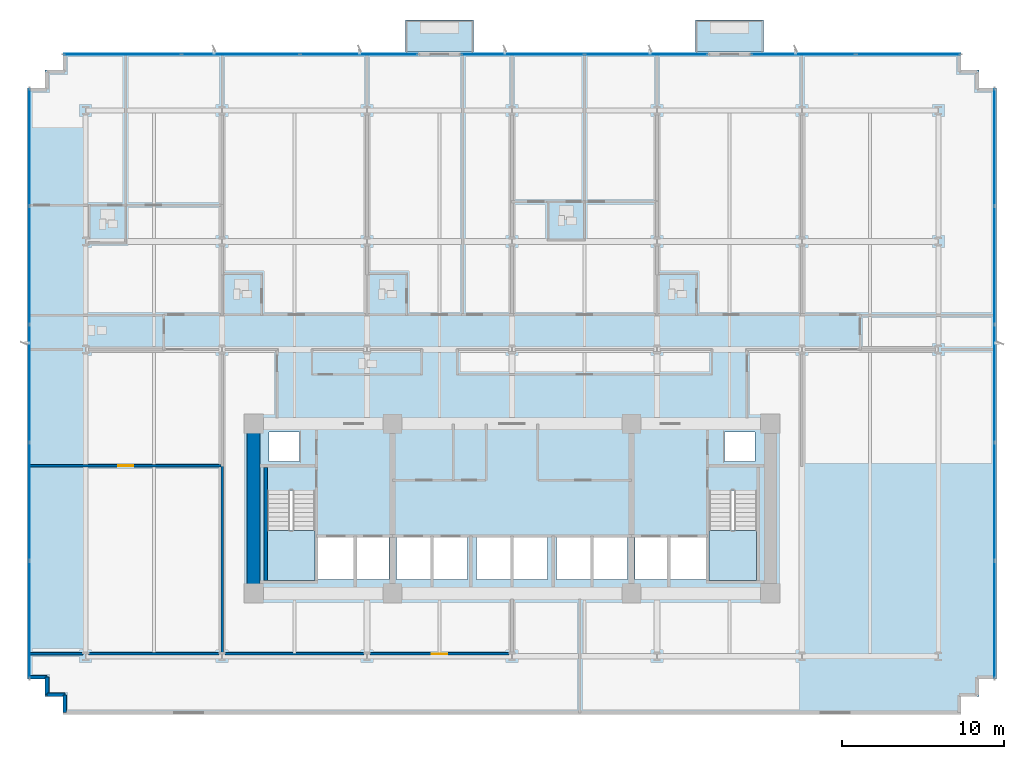
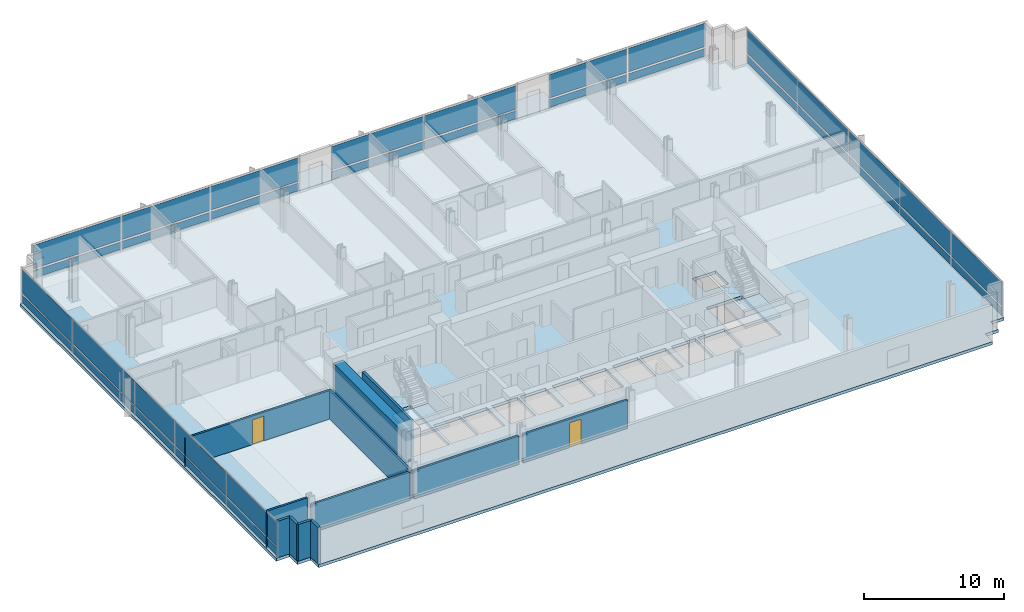
# One storey, part 7 of 15: 34 plates, 12 walls, 5 slabs, 2 doors, 2 openings, 7 elements without a shape of their own.
"""IFC4 building model written with IfcOpenShell, lengths in metres."""

from ifc_helpers import new_model, si_unit, direction, frame, frame_2d, origin, origin_2d, place, context, subcontext, project, spatial, polyline, rectangle, outline, extrude, material, layer, layer_set, type_object, element, fill, aggregate, save


model = new_model("IFC4")

# Units and contexts
model_context = context("Model", 3, precision=1e-05, world=origin(), true_north=direction((0.0, 1.0)))
body_context = subcontext(model_context, "Body", "Model", "MODEL_VIEW")
ifc_project = project(units=[si_unit("LENGTHUNIT", "METRE"), si_unit("AREAUNIT", "SQUARE_METRE"), si_unit("VOLUMEUNIT", "CUBIC_METRE"), si_unit("PLANEANGLEUNIT", "RADIAN"), si_unit("MASSUNIT", "GRAM", prefix="KILO")], contexts=[model_context])

# Site, building, storey
site_placement = place(None, origin())
site = spatial("IfcSite", under=ifc_project, at=site_placement, CompositionType="ELEMENT")
building_placement = place(site_placement, origin())
building = spatial("IfcBuilding", under=site, at=building_placement, Name="Solmavex Isthmus Hotel", CompositionType="ELEMENT")
storey_placement = place(building_placement, frame((0.0, 0.0, 33.300048828125)))
storey = spatial("IfcBuildingStorey", under=building, at=storey_placement, Name="L08", CompositionType="ELEMENT", Elevation=33.300048828125)

# Curtain wall, plates
ifc_material_1 = material(Name="Aluminium alloy 6063-T6", Category="aluminium")
curtain_wall_type = type_object("IfcCurtainWallType", Name="CW-SYS-02", PredefinedType="NOTDEFINED", material=ifc_material_1)
curtain_wall_1_placement = place(storey_placement, origin())
curtain_wall_1 = element("IfcCurtainWall", 1, at=curtain_wall_1_placement, inside=storey, type_object=curtain_wall_type, Name="Stick Curtain Wall CWL-L08-N1", PredefinedType="NOTDEFINED")
ifc_material_2 = material(Name="Clear low-E laminated glass", Category="glass")
ifc_layer_1 = layer(ifc_material_2, 0.031982421875)
ifc_layer_set_1 = layer_set([ifc_layer_1], Name="Clear low-E laminated glass")
plate_type = type_object("IfcPlateType", Name="CW-SYS-02-PNL", PredefinedType="CURTAIN_PANEL", material=ifc_layer_set_1)
plate_1_placement = place(storey_placement, frame((-24.112548828125, 20.3798828125, 0.16015625), z_axis=(0.0, 0.0, 1.0), x_axis=(1.0, 0.0, 0.0)))
plate_1 = element("IfcPlate", 2, at=plate_1_placement, type_object=plate_type, Name="CW-02 panel 1.1", PredefinedType="CURTAIN_PANEL", context=body_context, shape_type="SweptSolid", body=[
    extrude(rectangle(XDim=7.224853515625, YDim=0.031982421875, at=origin_2d()), origin(), (0.0, 0.0, 1.0), 0.659912109375),
])
plate_2_placement = place(storey_placement, frame((-24.112548828125, 20.3798828125, 0.97998046875), z_axis=(0.0, 0.0, 1.0), x_axis=(1.0, 0.0, 0.0)))
plate_2 = element("IfcPlate", 3, at=plate_2_placement, type_object=plate_type, Name="CW-02 panel 1.2", PredefinedType="CURTAIN_PANEL", context=body_context, shape_type="SweptSolid", body=[
    extrude(rectangle(XDim=7.224853515625, YDim=0.031982421875, at=origin_2d()), origin(), (0.0, 0.0, 1.0), 2.050048828125),
])
plate_3_placement = place(storey_placement, frame((-16.7939453125, 20.3798828125, 0.16015625), z_axis=(0.0, 0.0, 1.0), x_axis=(1.0, 0.0, 0.0)))
plate_3 = element("IfcPlate", 4, at=plate_3_placement, type_object=plate_type, Name="CW-02 panel 2.1", PredefinedType="CURTAIN_PANEL", context=body_context, shape_type="SweptSolid", body=[
    extrude(rectangle(XDim=7.262451171875, YDim=0.031982421875, at=origin_2d()), origin(), (0.0, 0.0, 1.0), 0.659912109375),
])
plate_4_placement = place(storey_placement, frame((-16.7939453125, 20.3798828125, 0.97998046875), z_axis=(0.0, 0.0, 1.0), x_axis=(1.0, 0.0, 0.0)))
plate_4 = element("IfcPlate", 5, at=plate_4_placement, type_object=plate_type, Name="CW-02 panel 2.2", PredefinedType="CURTAIN_PANEL", context=body_context, shape_type="SweptSolid", body=[
    extrude(rectangle(XDim=7.262451171875, YDim=0.031982421875, at=origin_2d()), origin(), (0.0, 0.0, 1.0), 2.050048828125),
])
plate_5_placement = place(storey_placement, frame((-9.475341796875, 20.3798828125, 0.16015625), z_axis=(0.0, 0.0, 1.0), x_axis=(1.0, 0.0, 0.0)))
plate_5 = element("IfcPlate", 6, at=plate_5_placement, type_object=plate_type, Name="CW-02 panel 3.1", PredefinedType="CURTAIN_PANEL", context=body_context, shape_type="SweptSolid", body=[
    extrude(rectangle(XDim=7.224853515625, YDim=0.031982421875, at=origin_2d()), origin(), (0.0, 0.0, 1.0), 0.659912109375),
])
plate_6_placement = place(storey_placement, frame((-9.475341796875, 20.3798828125, 0.97998046875), z_axis=(0.0, 0.0, 1.0), x_axis=(1.0, 0.0, 0.0)))
plate_6 = element("IfcPlate", 7, at=plate_6_placement, type_object=plate_type, Name="CW-02 panel 3.2", PredefinedType="CURTAIN_PANEL", context=body_context, shape_type="SweptSolid", body=[
    extrude(rectangle(XDim=7.224853515625, YDim=0.031982421875, at=origin_2d()), origin(), (0.0, 0.0, 1.0), 2.050048828125),
])
aggregate(curtain_wall_1, [plate_1, plate_2, plate_3, plate_4, plate_5, plate_6])

curtain_wall_2_placement = place(storey_placement, origin())
curtain_wall_2 = element("IfcCurtainWall", 8, at=curtain_wall_2_placement, inside=storey, type_object=curtain_wall_type, Name="Stick Curtain Wall CWL-L08-N2", PredefinedType="NOTDEFINED")
plate_7_placement = place(storey_placement, frame((0.668701171875, 20.3798828125, 0.16015625), z_axis=(0.0, 0.0, 1.0), x_axis=(1.0, 0.0, 0.0)))
plate_7 = element("IfcPlate", 9, at=plate_7_placement, type_object=plate_type, Name="CW-02 panel 1.1", PredefinedType="CURTAIN_PANEL", context=body_context, shape_type="SweptSolid", body=[
    extrude(rectangle(XDim=7.5634765625, YDim=0.031982421875, at=origin_2d()), origin(), (0.0, 0.0, 1.0), 0.659912109375),
])
plate_8_placement = place(storey_placement, frame((0.668701171875, 20.3798828125, 0.97998046875), z_axis=(0.0, 0.0, 1.0), x_axis=(1.0, 0.0, 0.0)))
plate_8 = element("IfcPlate", 10, at=plate_8_placement, type_object=plate_type, Name="CW-02 panel 1.2", PredefinedType="CURTAIN_PANEL", context=body_context, shape_type="SweptSolid", body=[
    extrude(rectangle(XDim=7.5634765625, YDim=0.031982421875, at=origin_2d()), origin(), (0.0, 0.0, 1.0), 2.050048828125),
])
plate_9_placement = place(storey_placement, frame((8.30712890625, 20.3798828125, 0.16015625), z_axis=(0.0, 0.0, 1.0), x_axis=(1.0, 0.0, 0.0)))
plate_9 = element("IfcPlate", 11, at=plate_9_placement, type_object=plate_type, Name="CW-02 panel 2.1", PredefinedType="CURTAIN_PANEL", context=body_context, shape_type="SweptSolid", body=[
    extrude(rectangle(XDim=7.5634765625, YDim=0.031982421875, at=origin_2d()), origin(), (0.0, 0.0, 1.0), 0.659912109375),
])
plate_10_placement = place(storey_placement, frame((8.30712890625, 20.3798828125, 0.97998046875), z_axis=(0.0, 0.0, 1.0), x_axis=(1.0, 0.0, 0.0)))
plate_10 = element("IfcPlate", 12, at=plate_10_placement, type_object=plate_type, Name="CW-02 panel 2.2", PredefinedType="CURTAIN_PANEL", context=body_context, shape_type="SweptSolid", body=[
    extrude(rectangle(XDim=7.5634765625, YDim=0.031982421875, at=origin_2d()), origin(), (0.0, 0.0, 1.0), 2.050048828125),
])
aggregate(curtain_wall_2, [plate_7, plate_8, plate_9, plate_10])

curtain_wall_3_placement = place(storey_placement, origin())
curtain_wall_3 = element("IfcCurtainWall", 13, at=curtain_wall_3_placement, inside=storey, type_object=curtain_wall_type, Name="Stick Curtain Wall CWL-L08-N3", PredefinedType="NOTDEFINED")
plate_11_placement = place(storey_placement, frame((18.041748046875, 20.3798828125, 0.16015625), z_axis=(0.0, 0.0, 1.0), x_axis=(1.0, 0.0, 0.0)))
plate_11 = element("IfcPlate", 14, at=plate_11_placement, type_object=plate_type, Name="CW-02 panel 1.1", PredefinedType="CURTAIN_PANEL", context=body_context, shape_type="SweptSolid", body=[
    extrude(rectangle(XDim=6.405517578125, YDim=0.031982421875, at=origin_2d()), origin(), (0.0, 0.0, 1.0), 0.659912109375),
])
plate_12_placement = place(storey_placement, frame((18.041748046875, 20.3798828125, 0.97998046875), z_axis=(0.0, 0.0, 1.0), x_axis=(1.0, 0.0, 0.0)))
plate_12 = element("IfcPlate", 15, at=plate_12_placement, type_object=plate_type, Name="CW-02 panel 1.2", PredefinedType="CURTAIN_PANEL", context=body_context, shape_type="SweptSolid", body=[
    extrude(rectangle(XDim=6.405517578125, YDim=0.031982421875, at=origin_2d()), origin(), (0.0, 0.0, 1.0), 2.050048828125),
])
plate_13_placement = place(storey_placement, frame((24.522216796875, 20.3798828125, 0.16015625), z_axis=(0.0, 0.0, 1.0), x_axis=(1.0, 0.0, 0.0)))
plate_13 = element("IfcPlate", 16, at=plate_13_placement, type_object=plate_type, Name="CW-02 panel 2.1", PredefinedType="CURTAIN_PANEL", context=body_context, shape_type="SweptSolid", body=[
    extrude(rectangle(XDim=6.405517578125, YDim=0.031982421875, at=origin_2d()), origin(), (0.0, 0.0, 1.0), 0.659912109375),
])
plate_14_placement = place(storey_placement, frame((24.522216796875, 20.3798828125, 0.97998046875), z_axis=(0.0, 0.0, 1.0), x_axis=(1.0, 0.0, 0.0)))
plate_14 = element("IfcPlate", 17, at=plate_14_placement, type_object=plate_type, Name="CW-02 panel 2.2", PredefinedType="CURTAIN_PANEL", context=body_context, shape_type="SweptSolid", body=[
    extrude(rectangle(XDim=6.405517578125, YDim=0.031982421875, at=origin_2d()), origin(), (0.0, 0.0, 1.0), 2.050048828125),
])
aggregate(curtain_wall_3, [plate_11, plate_12, plate_13, plate_14])

curtain_wall_4_placement = place(storey_placement, origin())
curtain_wall_4 = element("IfcCurtainWall", 18, at=curtain_wall_4_placement, inside=storey, type_object=curtain_wall_type, Name="Stick Curtain Wall CWL-L08-W1", PredefinedType="NOTDEFINED")
plate_15_placement = place(storey_placement, frame((-29.8798828125, -14.621337890625, 0.16015625), z_axis=(0.0, 0.0, 1.0), x_axis=(0.0, 1.0, 0.0)))
plate_15 = element("IfcPlate", 19, at=plate_15_placement, type_object=plate_type, Name="CW-02 panel 1.1", PredefinedType="CURTAIN_PANEL", context=body_context, shape_type="SweptSolid", body=[
    extrude(rectangle(XDim=7.20751953125, YDim=0.031982421875, at=origin_2d()), origin(), (0.0, 0.0, 1.0), 0.659912109375),
])
plate_16_placement = place(storey_placement, frame((-29.8798828125, -14.621337890625, 0.97998046875), z_axis=(0.0, 0.0, 1.0), x_axis=(0.0, 1.0, 0.0)))
plate_16 = element("IfcPlate", 20, at=plate_16_placement, type_object=plate_type, Name="CW-02 panel 1.2", PredefinedType="CURTAIN_PANEL", context=body_context, shape_type="SweptSolid", body=[
    extrude(rectangle(XDim=7.20751953125, YDim=0.031982421875, at=origin_2d()), origin(), (0.0, 0.0, 1.0), 2.050048828125),
])
plate_17_placement = place(storey_placement, frame((-29.8798828125, -7.320068359375, 0.16015625), z_axis=(0.0, 0.0, 1.0), x_axis=(0.0, 1.0, 0.0)))
plate_17 = element("IfcPlate", 21, at=plate_17_placement, type_object=plate_type, Name="CW-02 panel 2.1", PredefinedType="CURTAIN_PANEL", context=body_context, shape_type="SweptSolid", body=[
    extrude(rectangle(XDim=7.2451171875, YDim=0.031982421875, at=origin_2d()), origin(), (0.0, 0.0, 1.0), 0.659912109375),
])
plate_18_placement = place(storey_placement, frame((-29.8798828125, -7.320068359375, 0.97998046875), z_axis=(0.0, 0.0, 1.0), x_axis=(0.0, 1.0, 0.0)))
plate_18 = element("IfcPlate", 22, at=plate_18_placement, type_object=plate_type, Name="CW-02 panel 2.2", PredefinedType="CURTAIN_PANEL", context=body_context, shape_type="SweptSolid", body=[
    extrude(rectangle(XDim=7.2451171875, YDim=0.031982421875, at=origin_2d()), origin(), (0.0, 0.0, 1.0), 2.050048828125),
])
plate_19_placement = place(storey_placement, frame((-29.8798828125, 0.0, 0.16015625), z_axis=(0.0, 0.0, 1.0), x_axis=(0.0, 1.0, 0.0)))
plate_19 = element("IfcPlate", 23, at=plate_19_placement, type_object=plate_type, Name="CW-02 panel 3.1", PredefinedType="CURTAIN_PANEL", context=body_context, shape_type="SweptSolid", body=[
    extrude(rectangle(XDim=7.2451171875, YDim=0.031982421875, at=origin_2d()), origin(), (0.0, 0.0, 1.0), 0.659912109375),
])
plate_20_placement = place(storey_placement, frame((-29.8798828125, 0.0, 0.97998046875), z_axis=(0.0, 0.0, 1.0), x_axis=(0.0, 1.0, 0.0)))
plate_20 = element("IfcPlate", 24, at=plate_20_placement, type_object=plate_type, Name="CW-02 panel 3.2", PredefinedType="CURTAIN_PANEL", context=body_context, shape_type="SweptSolid", body=[
    extrude(rectangle(XDim=7.2451171875, YDim=0.031982421875, at=origin_2d()), origin(), (0.0, 0.0, 1.0), 2.050048828125),
])
plate_21_placement = place(storey_placement, frame((-29.8798828125, 7.320068359375, 0.16015625), z_axis=(0.0, 0.0, 1.0), x_axis=(0.0, 1.0, 0.0)))
plate_21 = element("IfcPlate", 25, at=plate_21_placement, type_object=plate_type, Name="CW-02 panel 4.1", PredefinedType="CURTAIN_PANEL", context=body_context, shape_type="SweptSolid", body=[
    extrude(rectangle(XDim=7.2451171875, YDim=0.031982421875, at=origin_2d()), origin(), (0.0, 0.0, 1.0), 0.659912109375),
])
plate_22_placement = place(storey_placement, frame((-29.8798828125, 7.320068359375, 0.97998046875), z_axis=(0.0, 0.0, 1.0), x_axis=(0.0, 1.0, 0.0)))
plate_22 = element("IfcPlate", 26, at=plate_22_placement, type_object=plate_type, Name="CW-02 panel 4.2", PredefinedType="CURTAIN_PANEL", context=body_context, shape_type="SweptSolid", body=[
    extrude(rectangle(XDim=7.2451171875, YDim=0.031982421875, at=origin_2d()), origin(), (0.0, 0.0, 1.0), 2.050048828125),
])
plate_23_placement = place(storey_placement, frame((-29.8798828125, 14.621337890625, 0.16015625), z_axis=(0.0, 0.0, 1.0), x_axis=(0.0, 1.0, 0.0)))
plate_23 = element("IfcPlate", 27, at=plate_23_placement, type_object=plate_type, Name="CW-02 panel 5.1", PredefinedType="CURTAIN_PANEL", context=body_context, shape_type="SweptSolid", body=[
    extrude(rectangle(XDim=7.20751953125, YDim=0.031982421875, at=origin_2d()), origin(), (0.0, 0.0, 1.0), 0.659912109375),
])
plate_24_placement = place(storey_placement, frame((-29.8798828125, 14.621337890625, 0.97998046875), z_axis=(0.0, 0.0, 1.0), x_axis=(0.0, 1.0, 0.0)))
plate_24 = element("IfcPlate", 28, at=plate_24_placement, type_object=plate_type, Name="CW-02 panel 5.2", PredefinedType="CURTAIN_PANEL", context=body_context, shape_type="SweptSolid", body=[
    extrude(rectangle(XDim=7.20751953125, YDim=0.031982421875, at=origin_2d()), origin(), (0.0, 0.0, 1.0), 2.050048828125),
])
aggregate(curtain_wall_4, [plate_15, plate_16, plate_17, plate_18, plate_19, plate_20, plate_21, plate_22, plate_23, plate_24])

curtain_wall_5_placement = place(storey_placement, origin())
curtain_wall_5 = element("IfcCurtainWall", 29, at=curtain_wall_5_placement, inside=storey, type_object=curtain_wall_type, Name="Stick Curtain Wall CWL-L08-E1", PredefinedType="NOTDEFINED")
plate_25_placement = place(storey_placement, frame((29.8798828125, -14.621337890625, 0.16015625), z_axis=(0.0, 0.0, 1.0), x_axis=(0.0, 1.0, 0.0)))
plate_25 = element("IfcPlate", 30, at=plate_25_placement, type_object=plate_type, Name="CW-02 panel 1.1", PredefinedType="CURTAIN_PANEL", context=body_context, shape_type="SweptSolid", body=[
    extrude(rectangle(XDim=7.20751953125, YDim=0.031982421875, at=origin_2d()), origin(), (0.0, 0.0, 1.0), 0.659912109375),
])
plate_26_placement = place(storey_placement, frame((29.8798828125, -14.621337890625, 0.97998046875), z_axis=(0.0, 0.0, 1.0), x_axis=(0.0, 1.0, 0.0)))
plate_26 = element("IfcPlate", 31, at=plate_26_placement, type_object=plate_type, Name="CW-02 panel 1.2", PredefinedType="CURTAIN_PANEL", context=body_context, shape_type="SweptSolid", body=[
    extrude(rectangle(XDim=7.20751953125, YDim=0.031982421875, at=origin_2d()), origin(), (0.0, 0.0, 1.0), 2.050048828125),
])
plate_27_placement = place(storey_placement, frame((29.8798828125, -7.320068359375, 0.16015625), z_axis=(0.0, 0.0, 1.0), x_axis=(0.0, 1.0, 0.0)))
plate_27 = element("IfcPlate", 32, at=plate_27_placement, type_object=plate_type, Name="CW-02 panel 2.1", PredefinedType="CURTAIN_PANEL", context=body_context, shape_type="SweptSolid", body=[
    extrude(rectangle(XDim=7.2451171875, YDim=0.031982421875, at=origin_2d()), origin(), (0.0, 0.0, 1.0), 0.659912109375),
])
plate_28_placement = place(storey_placement, frame((29.8798828125, -7.320068359375, 0.97998046875), z_axis=(0.0, 0.0, 1.0), x_axis=(0.0, 1.0, 0.0)))
plate_28 = element("IfcPlate", 33, at=plate_28_placement, type_object=plate_type, Name="CW-02 panel 2.2", PredefinedType="CURTAIN_PANEL", context=body_context, shape_type="SweptSolid", body=[
    extrude(rectangle(XDim=7.2451171875, YDim=0.031982421875, at=origin_2d()), origin(), (0.0, 0.0, 1.0), 2.050048828125),
])
plate_29_placement = place(storey_placement, frame((29.8798828125, 0.0, 0.16015625), z_axis=(0.0, 0.0, 1.0), x_axis=(0.0, 1.0, 0.0)))
plate_29 = element("IfcPlate", 34, at=plate_29_placement, type_object=plate_type, Name="CW-02 panel 3.1", PredefinedType="CURTAIN_PANEL", context=body_context, shape_type="SweptSolid", body=[
    extrude(rectangle(XDim=7.2451171875, YDim=0.031982421875, at=origin_2d()), origin(), (0.0, 0.0, 1.0), 0.659912109375),
])
plate_30_placement = place(storey_placement, frame((29.8798828125, 0.0, 0.97998046875), z_axis=(0.0, 0.0, 1.0), x_axis=(0.0, 1.0, 0.0)))
plate_30 = element("IfcPlate", 35, at=plate_30_placement, type_object=plate_type, Name="CW-02 panel 3.2", PredefinedType="CURTAIN_PANEL", context=body_context, shape_type="SweptSolid", body=[
    extrude(rectangle(XDim=7.2451171875, YDim=0.031982421875, at=origin_2d()), origin(), (0.0, 0.0, 1.0), 2.050048828125),
])
plate_31_placement = place(storey_placement, frame((29.8798828125, 7.320068359375, 0.16015625), z_axis=(0.0, 0.0, 1.0), x_axis=(0.0, 1.0, 0.0)))
plate_31 = element("IfcPlate", 36, at=plate_31_placement, type_object=plate_type, Name="CW-02 panel 4.1", PredefinedType="CURTAIN_PANEL", context=body_context, shape_type="SweptSolid", body=[
    extrude(rectangle(XDim=7.2451171875, YDim=0.031982421875, at=origin_2d()), origin(), (0.0, 0.0, 1.0), 0.659912109375),
])
plate_32_placement = place(storey_placement, frame((29.8798828125, 7.320068359375, 0.97998046875), z_axis=(0.0, 0.0, 1.0), x_axis=(0.0, 1.0, 0.0)))
plate_32 = element("IfcPlate", 37, at=plate_32_placement, type_object=plate_type, Name="CW-02 panel 4.2", PredefinedType="CURTAIN_PANEL", context=body_context, shape_type="SweptSolid", body=[
    extrude(rectangle(XDim=7.2451171875, YDim=0.031982421875, at=origin_2d()), origin(), (0.0, 0.0, 1.0), 2.050048828125),
])
plate_33_placement = place(storey_placement, frame((29.8798828125, 14.621337890625, 0.16015625), z_axis=(0.0, 0.0, 1.0), x_axis=(0.0, 1.0, 0.0)))
plate_33 = element("IfcPlate", 38, at=plate_33_placement, type_object=plate_type, Name="CW-02 panel 5.1", PredefinedType="CURTAIN_PANEL", context=body_context, shape_type="SweptSolid", body=[
    extrude(rectangle(XDim=7.20751953125, YDim=0.031982421875, at=origin_2d()), origin(), (0.0, 0.0, 1.0), 0.659912109375),
])
plate_34_placement = place(storey_placement, frame((29.8798828125, 14.621337890625, 0.97998046875), z_axis=(0.0, 0.0, 1.0), x_axis=(0.0, 1.0, 0.0)))
plate_34 = element("IfcPlate", 39, at=plate_34_placement, type_object=plate_type, Name="CW-02 panel 5.2", PredefinedType="CURTAIN_PANEL", context=body_context, shape_type="SweptSolid", body=[
    extrude(rectangle(XDim=7.20751953125, YDim=0.031982421875, at=origin_2d()), origin(), (0.0, 0.0, 1.0), 2.050048828125),
])
aggregate(curtain_wall_5, [plate_25, plate_26, plate_27, plate_28, plate_29, plate_30, plate_31, plate_32, plate_33, plate_34])

# Slabs
ifc_material_3 = material(Name="Concrete C40/50", Category="concrete")
ifc_layer_2 = layer(ifc_material_3, 0.239990234375)
ifc_layer_set_2 = layer_set([ifc_layer_2], Name="Concrete C40/50")
slab_type_1 = type_object("IfcSlabType", Name="SLAB-BALC-240", PredefinedType="FLOOR", material=ifc_layer_set_2)
slab_1_placement = place(storey_placement, frame((0.0, 0.0, -0.239990234375)))
element("IfcSlab", 40, at=slab_1_placement, inside=storey, type_object=slab_type_1, Name="Tree-Planter Balcony Slab L08-B1", PredefinedType="FLOOR", context=body_context, shape_type="SweptSolid", body=[
    extrude(outline(polyline([(-6.587890625, 20.514892578125), (-2.387939453125, 20.514892578125), (-2.387939453125, 22.5), (-6.587890625, 22.5), (-6.587890625, 20.514892578125)])), origin(), (0.0, 0.0, 1.0), 0.239990234375),
])
slab_2_placement = place(storey_placement, frame((0.0, 0.0, -0.239990234375)))
element("IfcSlab", 41, at=slab_2_placement, inside=storey, type_object=slab_type_1, Name="Tree-Planter Balcony Slab L08-B2", PredefinedType="FLOOR", context=body_context, shape_type="SweptSolid", body=[
    extrude(outline(polyline([(11.364013671875, 20.514892578125), (15.56396484375, 20.514892578125), (15.56396484375, 22.5), (11.364013671875, 22.5), (11.364013671875, 20.514892578125)])), origin(), (0.0, 0.0, 1.0), 0.239990234375),
])
ifc_layer_3 = layer(ifc_material_3, 0.260009765625)
ifc_layer_set_3 = layer_set([ifc_layer_3], Name="Concrete C40/50")
slab_type_2 = type_object("IfcSlabType", Name="SLAB-TYP-260", PredefinedType="FLOOR", material=ifc_layer_set_3)
slab_3_placement = place(storey_placement, frame((0.0, 0.0, -0.260009765625)))
element("IfcSlab", 42, at=slab_3_placement, inside=storey, type_object=slab_type_2, Name="Tower Structural Floor Slab L08", PredefinedType="FLOOR", context=body_context, shape_type="SweptSolid", body=[
    extrude(outline(polyline([(-26.699951171875, -20.5), (26.699951171875, -20.5), (27.800048828125, -20.5), (27.800048828125, -19.39990234375), (28.89990234375, -19.39990234375), (28.89990234375, -18.300048828125), (30.0, -18.300048828125), (30.0, -17.199951171875), (30.0, 17.199951171875), (30.0, 18.300048828125), (28.89990234375, 18.300048828125), (28.89990234375, 19.39990234375), (27.800048828125, 19.39990234375), (27.800048828125, 20.5), (26.699951171875, 20.5), (-26.699951171875, 20.5), (-27.800048828125, 20.5), (-27.800048828125, 19.39990234375), (-28.89990234375, 19.39990234375), (-28.89990234375, 18.300048828125), (-30.0, 18.300048828125), (-30.0, 17.199951171875), (-30.0, -17.199951171875), (-30.0, -18.300048828125), (-28.89990234375, -18.300048828125), (-28.89990234375, -19.39990234375), (-27.800048828125, -19.39990234375), (-27.800048828125, -20.5), (-26.699951171875, -20.5)]), holes=[polyline([(-15.14990234375, -6.617919921875), (-15.14990234375, -12.199951171875), (-12.199951171875, -12.199951171875), (-12.199951171875, -6.617919921875), (-15.14990234375, -6.617919921875)]), polyline([(12.199951171875, -6.617919921875), (12.199951171875, -12.199951171875), (15.14990234375, -12.199951171875), (15.14990234375, -6.617919921875), (12.199951171875, -6.617919921875)]), polyline([(-12.0, -12.14990234375), (-9.800048828125, -12.14990234375), (-9.800048828125, -9.550048828125), (-12.0, -9.550048828125), (-12.0, -12.14990234375)]), polyline([(9.800048828125, -12.14990234375), (12.0, -12.14990234375), (12.0, -9.550048828125), (9.800048828125, -9.550048828125), (9.800048828125, -12.14990234375)]), polyline([(-9.60009765625, -12.14990234375), (-7.60009765625, -12.14990234375), (-7.60009765625, -9.550048828125), (-9.60009765625, -9.550048828125), (-9.60009765625, -12.14990234375)]), polyline([(7.60009765625, -12.14990234375), (9.60009765625, -12.14990234375), (9.60009765625, -9.550048828125), (7.60009765625, -9.550048828125), (7.60009765625, -12.14990234375)]), polyline([(-7.14990234375, -12.14990234375), (-5.050048828125, -12.14990234375), (-5.050048828125, -9.550048828125), (-7.14990234375, -9.550048828125), (-7.14990234375, -12.14990234375)]), polyline([(-4.85009765625, -12.14990234375), (-2.75, -12.14990234375), (-2.75, -9.550048828125), (-4.85009765625, -9.550048828125), (-4.85009765625, -12.14990234375)]), polyline([(-2.199951171875, -12.14990234375), (-0.10009765625, -12.14990234375), (-0.10009765625, -9.550048828125), (-2.199951171875, -9.550048828125), (-2.199951171875, -12.14990234375)]), polyline([(0.10009765625, -12.14990234375), (2.199951171875, -12.14990234375), (2.199951171875, -9.550048828125), (0.10009765625, -9.550048828125), (0.10009765625, -12.14990234375)]), polyline([(2.75, -12.14990234375), (4.85009765625, -12.14990234375), (4.85009765625, -9.550048828125), (2.75, -9.550048828125), (2.75, -12.14990234375)]), polyline([(5.050048828125, -12.14990234375), (7.14990234375, -12.14990234375), (7.14990234375, -9.550048828125), (5.050048828125, -9.550048828125), (5.050048828125, -12.14990234375)]), polyline([(-15.050048828125, -4.85009765625), (-13.14990234375, -4.85009765625), (-13.14990234375, -3.0), (-15.050048828125, -3.0), (-15.050048828125, -4.85009765625)]), polyline([(13.14990234375, -4.85009765625), (15.050048828125, -4.85009765625), (15.050048828125, -3.0), (13.14990234375, -3.0), (13.14990234375, -4.85009765625)])]), origin(), (0.0, 0.0, 1.0), 0.260009765625),
])

# Stair, slab
stair_type_1 = type_object("IfcStairType", Name="STR-ST-1", PredefinedType="HALF_TURN_STAIR", material=ifc_material_3)
stair_1_placement = place(storey_placement, origin())
stair_1 = element("IfcStair", 43, at=stair_1_placement, inside=storey, type_object=stair_type_1, Name="L08 Protected Exit Stair ST-1", PredefinedType="HALF_TURN_STAIR")
ifc_layer_4 = layer(ifc_material_3, 0.219970703125)
ifc_layer_set_4 = layer_set([ifc_layer_4], Name="Concrete C40/50")
slab_type_3 = type_object("IfcSlabType", Name="SLD-ST-1", PredefinedType="LANDING", material=ifc_layer_set_4)
slab_4_placement = place(storey_placement, frame((0.0, 0.0, 1.52490234375)))
slab_4 = element("IfcSlab", 44, at=slab_4_placement, type_object=slab_type_3, Name="ST-1 landing 1", PredefinedType="LANDING", context=body_context, shape_type="SweptSolid", body=[
    extrude(outline(polyline([(-15.14990234375, -9.1201171875), (-15.14990234375, -12.199951171875), (-12.199951171875, -12.199951171875), (-12.199951171875, -9.1201171875), (-15.14990234375, -9.1201171875)])), origin(), (0.0, 0.0, 1.0), 0.199951171875),
])
aggregate(stair_1, [slab_4])

stair_type_2 = type_object("IfcStairType", Name="STR-ST-2", PredefinedType="HALF_TURN_STAIR", material=ifc_material_3)
stair_2_placement = place(storey_placement, origin())
stair_2 = element("IfcStair", 45, at=stair_2_placement, inside=storey, type_object=stair_type_2, Name="L08 Protected Exit Stair ST-2", PredefinedType="HALF_TURN_STAIR")
ifc_layer_5 = layer(ifc_material_3, 0.219970703125)
ifc_layer_set_5 = layer_set([ifc_layer_5], Name="Concrete C40/50")
slab_type_4 = type_object("IfcSlabType", Name="SLD-ST-2", PredefinedType="LANDING", material=ifc_layer_set_5)
slab_5_placement = place(storey_placement, frame((0.0, 0.0, 1.52490234375)))
slab_5 = element("IfcSlab", 46, at=slab_5_placement, type_object=slab_type_4, Name="ST-2 landing 1", PredefinedType="LANDING", context=body_context, shape_type="SweptSolid", body=[
    extrude(outline(polyline([(12.199951171875, -9.1201171875), (12.199951171875, -12.199951171875), (15.14990234375, -12.199951171875), (15.14990234375, -9.1201171875), (12.199951171875, -9.1201171875)])), origin(), (0.0, 0.0, 1.0), 0.199951171875),
])
aggregate(stair_2, [slab_5])

# Walls
ifc_material_4 = material(Name="Precast Concrete C40/50", Category="concrete")
ifc_layer_6 = layer(ifc_material_4, 0.25)
ifc_layer_set_6 = layer_set([ifc_layer_6], Name="Precast Concrete C40/50")
wall_type_1 = type_object("IfcWallType", Name="EW-TWR-250", PredefinedType="STANDARD", material=ifc_layer_set_6)
wall_1_placement = place(storey_placement, frame((-27.68994140625, -20.389892578125, 0.0), z_axis=(0.0, 0.0, 1.0), x_axis=(0.0, 1.0, 0.0)))
element("IfcWall", 47, at=wall_1_placement, inside=storey, type_object=wall_type_1, Name="Serrated Corner Facade Panel L08-01", PredefinedType="STANDARD", context=body_context, shape_type="SweptSolid", body=[
    extrude(rectangle(XDim=1.099853515625, YDim=0.219970703125, at=frame_2d((0.5498046875, 0.0))), origin(), (0.0, 0.0, 1.0), 3.18994140625),
])
for number, where, z_axis, x_axis, name in (
    (48, (-27.68994140625, -19.2900390625, 0.0), (0.0, 0.0, 1.0), (-1.0, 0.0, 0.0), "Serrated Corner Facade Panel L08-02"),
    (49, (-28.7900390625, -19.2900390625, 0.0), (0.0, 0.0, 1.0), (0.0, 1.0, 0.0), "Serrated Corner Facade Panel L08-03"),
):
    element("IfcWall", number, at=place(storey_placement, frame(where, z_axis=z_axis, x_axis=x_axis)), inside=storey, type_object=wall_type_1, Name=name, PredefinedType="STANDARD", context=body_context, shape_type="SweptSolid", body=[
        extrude(rectangle(XDim=1.10009765625, YDim=0.219970703125, at=frame_2d((0.550048828125, 0.0))), origin(), (0.0, 0.0, 1.0), 3.18994140625),
    ])
wall_2_placement = place(storey_placement, frame((-28.7900390625, -18.18994140625, 0.0), z_axis=(0.0, 0.0, 1.0), x_axis=(-1.0, 0.0, 0.0)))
element("IfcWall", 50, at=wall_2_placement, inside=storey, type_object=wall_type_1, Name="Serrated Corner Facade Panel L08-04", PredefinedType="STANDARD", context=body_context, shape_type="SweptSolid", body=[
    extrude(rectangle(XDim=1.099853515625, YDim=0.219970703125, at=frame_2d((0.5498046875, 0.0))), origin(), (0.0, 0.0, 1.0), 3.18994140625),
])

# Wall, opening, door
ifc_material_5 = material(Name="Gypsum plasterboard lining", Category="gypsum")
ifc_layer_7 = layer(ifc_material_5, 0.159912109375)
ifc_layer_set_7 = layer_set([ifc_layer_7], Name="Gypsum plasterboard lining")
wall_type_2 = type_object("IfcWallType", Name="IW-COMP-160", PredefinedType="PARTITIONING", material=ifc_layer_set_7)
wall_3_placement = place(storey_placement, frame((-17.912109375, -5.10009765625, 0.0), z_axis=(0.0, 0.0, 1.0), x_axis=(-1.0, 0.0, 0.0)))
wall_3 = element("IfcWall", 51, at=wall_3_placement, inside=storey, type_object=wall_type_2, Name="Interior Partition Wall W-L08-P082", PredefinedType="PARTITIONING", context=body_context, shape_type="SweptSolid", body=[
    extrude(rectangle(XDim=12.0078125, YDim=0.159912109375, at=frame_2d((6.00390625, 0.0))), origin(), (0.0, 0.0, 1.0), 2.4794921875),
])
opening_1_placement = place(wall_3_placement, frame((5.529052734375, 0.0, 0.0)))
opening_1 = element("IfcOpeningElement", 52, at=opening_1_placement, cuts=wall_3, Name="Opening ID-C095", PredefinedType="OPENING", context=body_context, shape_type="SweptSolid", body=[
    extrude(rectangle(XDim=0.949951171875, YDim=2.14990234375, at=frame_2d((0.47509765625, 1.074951171875))), frame((0.0, 0.08984375, 0.0), z_axis=(0.0, -1.0, 0.0), x_axis=(1.0, 0.0, 0.0)), (0.0, 0.0, 1.0), 0.179931640625),
])
ifc_material_6 = material(Name="Hardwood timber", Category="wood")
door_type = type_object("IfcDoorType", Name="IDR-FD60-0950", OperationType="NOTDEFINED", PredefinedType="DOOR", material=ifc_material_6)
door_1_placement = place(opening_1_placement, origin())
door_1 = element("IfcDoor", 53, at=door_1_placement, inside=storey, type_object=door_type, Name="Corporate Briefing Office Door L08-26", OperationType="SINGLE_SWING_RIGHT", OverallHeight=2.14990234375, OverallWidth=0.949951171875, PredefinedType="DOOR", context=body_context, shape_type="SweptSolid", body=[
    extrude(rectangle(XDim=0.949951171875, YDim=2.14990234375, at=frame_2d((0.47509765625, 1.074951171875))), frame((0.0, 0.02490234375, 0.0), z_axis=(0.0, -1.0, 0.0), x_axis=(1.0, 0.0, 0.0)), (0.0, 0.0, 1.0), 0.050048828125),
])
fill(opening_1, door_1)

# Wall
wall_4_placement = place(storey_placement, frame((-9.15087890625, -16.75, 0.0), z_axis=(0.0, 0.0, 1.0), x_axis=(-1.0, 0.0, 0.0)))
element("IfcWall", 54, at=wall_4_placement, inside=storey, type_object=wall_type_2, Name="Interior Partition Wall W-L08-P084", PredefinedType="PARTITIONING", context=body_context, shape_type="SweptSolid", body=[
    extrude(rectangle(XDim=8.626220703125, YDim=0.159912109375, at=frame_2d((4.31298828125, 0.0))), origin(), (0.0, 0.0, 1.0), 2.4794921875),
])

# Wall, opening, door
wall_5_placement = place(storey_placement, frame((-0.175048828125, -16.75, 0.0), z_axis=(0.0, 0.0, 1.0), x_axis=(-1.0, 0.0, 0.0)))
wall_5 = element("IfcWall", 55, at=wall_5_placement, inside=storey, type_object=wall_type_2, Name="Interior Partition Wall W-L08-P085", PredefinedType="PARTITIONING", context=body_context, shape_type="SweptSolid", body=[
    extrude(rectangle(XDim=8.6259765625, YDim=0.159912109375, at=frame_2d((4.31298828125, 0.0))), origin(), (0.0, 0.0, 1.0), 2.4794921875),
])
opening_2_placement = place(wall_5_placement, frame((3.837890625, 0.0, 0.0)))
opening_2 = element("IfcOpeningElement", 56, at=opening_2_placement, cuts=wall_5, Name="Opening ID-C095", PredefinedType="OPENING", context=body_context, shape_type="SweptSolid", body=[
    extrude(rectangle(XDim=0.949951171875, YDim=2.14990234375, at=frame_2d((0.47509765625, 1.074951171875))), frame((0.0, 0.08984375, 0.0), z_axis=(0.0, -1.0, 0.0), x_axis=(1.0, 0.0, 0.0)), (0.0, 0.0, 1.0), 0.179931640625),
])
door_2_placement = place(opening_2_placement, origin())
door_2 = element("IfcDoor", 57, at=door_2_placement, inside=storey, type_object=door_type, Name="Corporate Briefing Office Door L08-25", OperationType="SINGLE_SWING_LEFT", OverallHeight=2.14990234375, OverallWidth=0.949951171875, PredefinedType="DOOR", context=body_context, shape_type="SweptSolid", body=[
    extrude(rectangle(XDim=0.949951171875, YDim=2.14990234375, at=frame_2d((0.47509765625, 1.074951171875))), frame((0.0, 0.02490234375, 0.0), z_axis=(0.0, -1.0, 0.0), x_axis=(1.0, 0.0, 0.0)), (0.0, 0.0, 1.0), 0.050048828125),
])
fill(opening_2, door_2)

# Walls
wall_6_placement = place(storey_placement, frame((-17.951904296875, -16.72509765625, 0.0), z_axis=(0.0, 0.0, 1.0), x_axis=(0.0, 1.0, 0.0)))
element("IfcWall", 58, at=wall_6_placement, inside=storey, type_object=wall_type_2, Name="Interior Partition Wall W-L08-P087", PredefinedType="PARTITIONING", context=body_context, shape_type="SweptSolid", body=[
    extrude(rectangle(XDim=11.70703125, YDim=0.159912109375, at=frame_2d((5.853515625, 0.0))), origin(), (0.0, 0.0, 1.0), 2.4794921875),
])
wall_7_placement = place(storey_placement, frame((-29.919921875, -16.75, 0.0), z_axis=(0.0, 0.0, 1.0), x_axis=(1.0, 0.0, 0.0)))
element("IfcWall", 59, at=wall_7_placement, inside=storey, type_object=wall_type_2, Name="Interior Partition Wall W-L08-P089", PredefinedType="PARTITIONING", context=body_context, shape_type="SweptSolid", body=[
    extrude(rectangle(XDim=3.344970703125, YDim=0.159912109375, at=frame_2d((1.67236328125, 0.0))), origin(), (0.0, 0.0, 1.0), 3.18994140625),
])
wall_8_placement = place(storey_placement, frame((-26.22509765625, -16.75, 0.0), z_axis=(0.0, 0.0, 1.0), x_axis=(1.0, 0.0, 0.0)))
element("IfcWall", 60, at=wall_8_placement, inside=storey, type_object=wall_type_2, Name="Interior Partition Wall W-L08-P090", PredefinedType="PARTITIONING", context=body_context, shape_type="SweptSolid", body=[
    extrude(rectangle(XDim=8.09814453125, YDim=0.159912109375, at=frame_2d((4.049072265625, 0.0))), origin(), (0.0, 0.0, 1.0), 2.4794921875),
])
ifc_material_7 = material(Name="Concrete C70/85", Category="concrete")
ifc_layer_8 = layer(ifc_material_7, 0.800048828125)
ifc_layer_set_8 = layer_set([ifc_layer_8], Name="Concrete C70/85")
wall_type_3 = type_object("IfcWallType", Name="WALL-CW-800", PredefinedType="SHEAR", material=ifc_layer_set_8)
wall_9_placement = place(storey_placement, frame((-16.0, -12.60009765625, 0.0), z_axis=(0.0, 0.0, 1.0), x_axis=(0.0, 1.0, 0.0)))
element("IfcWall", 61, at=wall_9_placement, inside=storey, type_object=wall_type_3, Name="Core Shear Wall West L08", PredefinedType="SHEAR", context=body_context, shape_type="SweptSolid", body=[
    extrude(rectangle(XDim=9.7001953125, YDim=0.800048828125, at=frame_2d((4.85009765625, 0.0))), origin(), (0.0, 0.0, 1.0), 2.909912109375),
])
ifc_layer_9 = layer(ifc_material_3, 0.199951171875)
ifc_layer_set_9 = layer_set([ifc_layer_9], Name="Concrete C40/50")
wall_type_4 = type_object("IfcWallType", Name="WALL-SW-200", PredefinedType="SOLIDWALL", material=ifc_layer_set_9)
wall_10_placement = place(storey_placement, frame((-15.25, -12.199951171875, 0.0), z_axis=(0.0, 0.0, 1.0), x_axis=(0.0, 1.0, 0.0)))
element("IfcWall", 62, at=wall_10_placement, inside=storey, type_object=wall_type_4, Name="Stairwell Structural Wall SW-L08-ST1-W", PredefinedType="SOLIDWALL", context=body_context, shape_type="SweptSolid", body=[
    extrude(rectangle(XDim=7.0, YDim=0.199951171875, at=frame_2d((3.5, 0.0))), origin(), (0.0, 0.0, 1.0), 3.18994140625),
])

save(model, "model.ifc")
